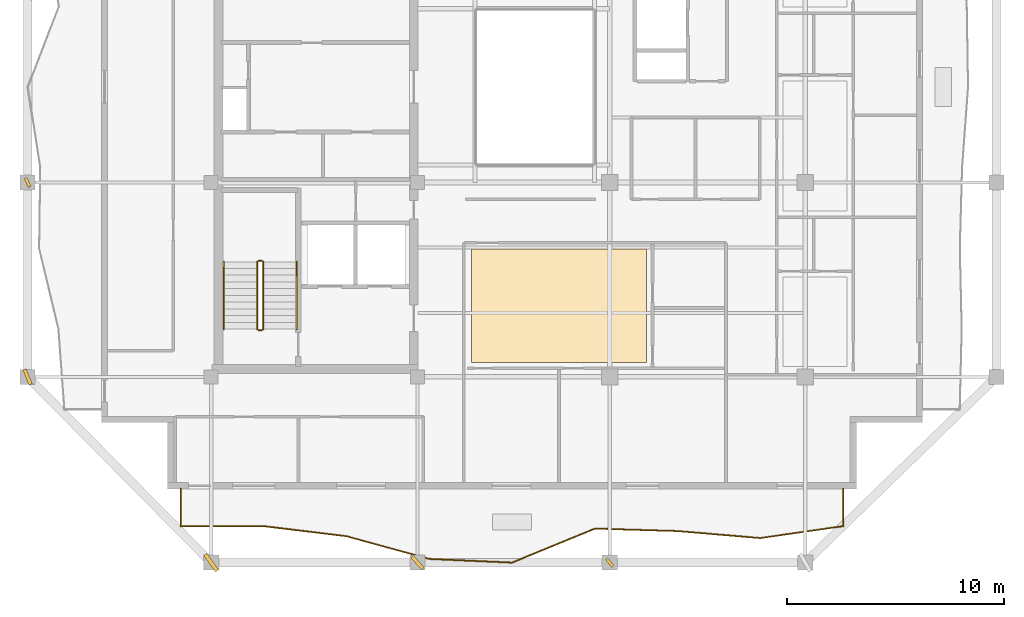
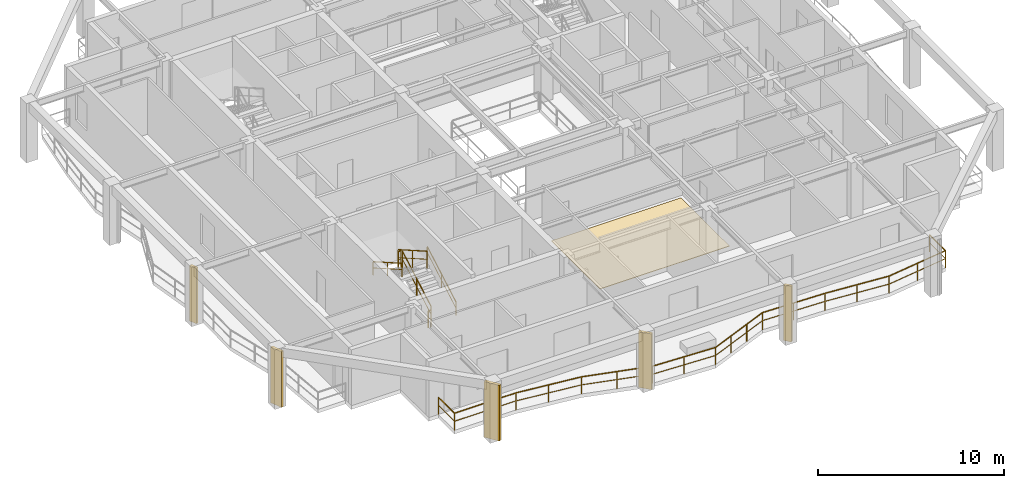
# One storey, part 7 of 10: 7 railings, 5 shading devices, 1 covering.
"""IFC4 building model written with IfcOpenShell, lengths in metres."""

import ifcopenshell
import ifcopenshell.guid

model = None  # the IFC model being written
_history = None  # IfcOwnerHistory: only IFC2X3 demands one
_inside = {}  # id of a spatial element -> (the spatial element, [elements in it])
_under = {}  # id of a project, library or spatial element -> (it, [spatial elements below it])
_declared = {}  # id of a project -> (the project, [libraries it declares])
_typed = {}  # id of a type object -> (the type object, [elements of that type])
_made_of = {}  # id of a material, layer set ... -> (it, [elements and type objects made of it])


def new_model(schema):
    """Start an empty IFC model of exactly this schema.

    Asked for "IFC4X3", IfcOpenShell would pick the latest addendum, in which some entities
    have other attributes; the version numbers below select the first issue.
    IFC2X3 requires an IfcOwnerHistory on every rooted entity: one is made here for all.
    """
    global model, _history
    if schema == "IFC4X3":
        model = ifcopenshell.file(schema_version=(4, 3, 0, 0))
    else:
        model = ifcopenshell.file(schema=schema)
    _inside.clear()
    _under.clear()
    _declared.clear()
    _typed.clear()
    _made_of.clear()
    _history = None
    if model.schema == "IFC2X3":
        org = make("IfcOrganization", Name="unknown")
        user = make(
            "IfcPersonAndOrganization",
            ThePerson=make("IfcPerson", FamilyName="unknown"),
            TheOrganization=org,
        )
        app = make(
            "IfcApplication",
            ApplicationDeveloper=org,
            Version="unknown",
            ApplicationFullName="unknown",
            ApplicationIdentifier="unknown",
        )
        _history = make(
            "IfcOwnerHistory",
            OwningUser=user,
            OwningApplication=app,
            ChangeAction="ADDED",
            CreationDate=0,
        )
    return model


def make(cls, **values):
    """One entity of the class cls with the attributes given. An attribute that is None is left unset."""
    return model.create_entity(
        cls, **{name: value for name, value in values.items() if value is not None}
    )


def rooted(cls, **values):
    """An entity with a GlobalId (a new one), such as an element, a storey or a relation."""
    return make(cls, GlobalId=ifcopenshell.guid.new(), OwnerHistory=_history, **values)


def si_unit(unit_type, name, prefix=None):
    """IfcSIUnit, for example si_unit("LENGTHUNIT", "METRE", prefix="MILLI")."""
    return make("IfcSIUnit", UnitType=unit_type, Prefix=prefix, Name=name)


def assignment(units):
    """IfcUnitAssignment: the units of a project."""
    return None if units is None else make("IfcUnitAssignment", Units=units)


def point(xyz):
    """IfcCartesianPoint."""
    return None if xyz is None else make("IfcCartesianPoint", Coordinates=xyz)


def direction(xyz):
    """IfcDirection."""
    return None if xyz is None else make("IfcDirection", DirectionRatios=xyz)


def frame(location, z_axis=None, x_axis=None):
    """IfcAxis2Placement3D, a coordinate frame: its origin and axes. An axis left out is left unset."""
    return make(
        "IfcAxis2Placement3D",
        Location=point(location),
        Axis=direction(z_axis),
        RefDirection=direction(x_axis),
    )


def frame_2d(location, x_axis=None):
    """IfcAxis2Placement2D, a coordinate frame in the plane: its origin and x axis."""
    return make(
        "IfcAxis2Placement2D", Location=point(location), RefDirection=direction(x_axis)
    )


def origin():
    """The frame at (0, 0, 0) with its axes left unset."""
    return frame((0.0, 0.0, 0.0))


def origin_2d():
    """The frame at (0, 0) in the plane with its x axis left unset."""
    return frame_2d((0.0, 0.0))


def place(relative_to, where):
    """IfcLocalPlacement: puts the frame where relative to a parent placement (None: the world)."""
    return make(
        "IfcLocalPlacement", PlacementRelTo=relative_to, RelativePlacement=where
    )


def context(
    kind, dimensions, precision=None, world=None, true_north=None, identifier=None
):
    """IfcGeometricRepresentationContext, for example the 3D "Model" context."""
    return make(
        "IfcGeometricRepresentationContext",
        ContextIdentifier=identifier,
        ContextType=kind,
        CoordinateSpaceDimension=dimensions,
        Precision=precision,
        WorldCoordinateSystem=world,
        TrueNorth=true_north,
    )


def subcontext(parent, identifier, kind, view, scale=None):
    """IfcGeometricRepresentationSubContext, for example "Body" below "Model"."""
    return make(
        "IfcGeometricRepresentationSubContext",
        ContextIdentifier=identifier,
        ContextType=kind,
        ParentContext=parent,
        TargetScale=scale,
        TargetView=view,
    )


def project(units=None, contexts=None):
    """IfcProject with its units and contexts."""
    return rooted(
        "IfcProject",
        Name="project",
        RepresentationContexts=contexts,
        UnitsInContext=assignment(units),
    )


def spatial(cls, under=None, at=None, **own):
    """A site, building, storey or space (cls), placed at a placement, below another one or the project."""
    s = rooted(cls, ObjectPlacement=at, **own)
    if under is not None:
        _under.setdefault(under.id(), (under, []))[1].append(s)
    return s


def polyline(points):
    """IfcPolyline through the points."""
    return make("IfcPolyline", Points=[point(p) for p in points])


def profile(cls, at=None, kind="AREA", **sizes):
    """A parametric profile (cls). Its sizes go by their IFC names, for example OverallWidth=200.0."""
    return make(cls, ProfileType=kind, Position=at, **sizes)


def rectangle(**sizes):
    """IfcRectangleProfileDef."""
    return profile("IfcRectangleProfileDef", **sizes)


def outline(outer, holes=None, kind="AREA"):
    """IfcArbitraryClosedProfileDef: a profile drawn as a closed curve; with holes, ...WithVoids."""
    if holes is None:
        return make("IfcArbitraryClosedProfileDef", ProfileType=kind, OuterCurve=outer)
    return make(
        "IfcArbitraryProfileDefWithVoids",
        ProfileType=kind,
        OuterCurve=outer,
        InnerCurves=holes,
    )


def extrude(swept, where, along, depth):
    """IfcExtrudedAreaSolid: the profile swept, set in the frame where, extruded along a direction by depth."""
    return make(
        "IfcExtrudedAreaSolid",
        SweptArea=swept,
        Position=where,
        ExtrudedDirection=direction(along),
        Depth=depth,
    )


def shape(context_of_items, identifier, shape_type, items):
    """IfcShapeRepresentation: the items that make up one representation, for example the "Body"."""
    return make(
        "IfcShapeRepresentation",
        ContextOfItems=context_of_items,
        RepresentationIdentifier=identifier,
        RepresentationType=shape_type,
        Items=items,
    )


def material(Name=None, Category=None):
    """IfcMaterial."""
    return make("IfcMaterial", Name=Name, Category=Category)


def layer(
    of_material, thickness, ventilated=None, Name=None, Category=None, Priority=None
):
    """IfcMaterialLayer: one layer of a wall or slab, of a material (None: an air gap)."""
    return make(
        "IfcMaterialLayer",
        Material=of_material,
        LayerThickness=thickness,
        IsVentilated=ventilated,
        Name=Name,
        Category=Category,
        Priority=Priority,
    )


def layer_set(layers, Name=None):
    """IfcMaterialLayerSet."""
    return make("IfcMaterialLayerSet", MaterialLayers=layers, LayerSetName=Name)


def made_of(thing, what):
    """Note that an element or type object is made of a material, layer set ...; save() writes the relation."""
    if what is not None:
        _made_of.setdefault(what.id(), (what, []))[1].append(thing)
    return thing


def type_object(cls, material=None, **own):
    """A type object (cls), such as IfcWallType, which elements share."""
    return made_of(rooted(cls, **own), material)


def element(
    cls,
    number,
    at=None,
    inside=None,
    cuts=None,
    type_object=None,
    material=None,
    context=None,
    identifier="Body",
    shape_type=None,
    held_by="IfcProductDefinitionShape",
    body=None,
    shapes=None,
    **own,
):
    """One element of the class cls, such as IfcWall. Its Tag is "e" and its number.

    at: its placement. inside: the storey or other place that contains it. cuts: it is an
    opening in that element (IfcRelVoidsElement). A single representation is given by context,
    identifier, shape_type and body (its items); several are given by shapes. held_by: the class
    of the entity that holds the representations. save() writes the other relations.
    """
    e = rooted(cls, Tag="e%d" % number, ObjectPlacement=at, **own)
    if body is not None:
        shapes = [shape(context, identifier, shape_type, body)]
    if shapes is not None:
        e.Representation = make(held_by, Representations=shapes)
    if inside is not None:
        _inside.setdefault(inside.id(), (inside, []))[1].append(e)
    if cuts is not None:
        rooted(
            "IfcRelVoidsElement", RelatingBuildingElement=cuts, RelatedOpeningElement=e
        )
    if type_object is not None:
        _typed.setdefault(type_object.id(), (type_object, []))[1].append(e)
    return made_of(e, material)


def aggregate(whole, parts):
    """IfcRelAggregates: a whole, such as a stair, and the parts it consists of."""
    return rooted("IfcRelAggregates", RelatingObject=whole, RelatedObjects=parts)


def save(model, path):
    """Write the relations noted so far, then the file.

    IfcRelAggregates (storeys below a building ...), IfcRelContainedInSpatialStructure (elements
    in a storey), IfcRelDefinesByType, IfcRelAssociatesMaterial and IfcRelDeclares: one each for
    every whole, place, type object, material and project.
    """
    for whole, parts in _under.values():
        aggregate(whole, parts)
    for where, things in _inside.values():
        rooted(
            "IfcRelContainedInSpatialStructure",
            RelatedElements=things,
            RelatingStructure=where,
        )
    for kind, things in _typed.values():
        rooted("IfcRelDefinesByType", RelatedObjects=things, RelatingType=kind)
    for what, things in _made_of.values():
        rooted("IfcRelAssociatesMaterial", RelatedObjects=things, RelatingMaterial=what)
    for by, libraries in _declared.values():
        rooted("IfcRelDeclares", RelatingContext=by, RelatedDefinitions=libraries)
    model.write(path)


model = new_model("IFC4")

# Units and contexts
model_context = context("Model", 3, precision=1e-05, world=origin(), true_north=direction((0.0, 1.0)))
body_context = subcontext(model_context, "Body", "Model", "MODEL_VIEW")
ifc_project = project(units=[si_unit("LENGTHUNIT", "METRE"), si_unit("AREAUNIT", "SQUARE_METRE"), si_unit("VOLUMEUNIT", "CUBIC_METRE"), si_unit("PLANEANGLEUNIT", "RADIAN"), si_unit("MASSUNIT", "GRAM", prefix="KILO")], contexts=[model_context])

# Site, building, storey
site_placement = place(None, origin())
site = spatial("IfcSite", under=ifc_project, at=site_placement, CompositionType="ELEMENT")
building_placement = place(site_placement, origin())
building = spatial("IfcBuilding", under=site, at=building_placement, Name="Kundavana Baori Tower", CompositionType="ELEMENT")
storey_placement = place(building_placement, frame((0.0, 0.0, 284.300048828125)))
storey = spatial("IfcBuildingStorey", under=building, at=storey_placement, Name="L70", CompositionType="ELEMENT", Elevation=284.300048828125)

# Covering
ifc_material_1 = material(Name="Honed Kota Stone and Terrazzo Flooring", Category="masonry")
ifc_layer = layer(ifc_material_1, 0.030029296875, Name="COV-INT-FLR")
ifc_layer_set = layer_set([ifc_layer], Name="Honed Kota Stone and Terrazzo Flooring")
covering_type = type_object("IfcCoveringType", Name="COV-INT-FLR", PredefinedType="FLOORING", material=ifc_layer_set)
covering_placement = place(storey_placement, origin())
element("IfcCovering", 1, at=covering_placement, inside=storey, type_object=covering_type, Name="L70 Room Finished Stone Flooring 1", PredefinedType="FLOORING", context=body_context, shape_type="SweptSolid", body=[
    extrude(outline(polyline([(27.43994140625, 15.919921875), (35.489990234375, 15.919921875), (35.489990234375, 21.139892578125), (27.43994140625, 21.139892578125), (27.43994140625, 15.919921875)])), origin(), (0.0, 0.0, 1.0), 0.030029296875),
])

# Railings
ifc_material_2 = material(Name="Architectural Patinated Bronze Metalwork")
railing_type_1 = type_object("IfcRailingType", Name="RL-BAL-1150", PredefinedType="BALUSTRADE", material=ifc_material_2)
railing_1_placement = place(storey_placement, frame((44.550048828125, 10.10009765625, 0.0)))
element("IfcRailing", 2, at=railing_1_placement, inside=storey, type_object=railing_type_1, Name="L70 Loggia Balcony Balustrade S", PredefinedType="BALUSTRADE", context=body_context, shape_type="SweptSolid", body=[
    extrude(rectangle(XDim=0.048095703125, YDim=0.048095703125, at=origin_2d()), frame((0.0, 0.0, 1.1259765625), z_axis=(0.0, -1.0, 0.0), x_axis=(1.0, 0.0, 0.0)), (0.0, 0.0, 1.0), 1.72021484375),
    extrude(rectangle(XDim=0.03125, YDim=0.03125, at=origin_2d()), frame((0.0, 0.0, 0.597900390625), z_axis=(0.0, -1.0, 0.0), x_axis=(1.0, 0.0, 0.0)), (0.0, 0.0, 1.0), 1.72021484375),
    extrude(rectangle(XDim=0.048095703125, YDim=0.048095703125, at=origin_2d()), frame((0.0, -1.72021484375, 1.1259765625), z_axis=(-0.989682878642, -0.143275258587, 0.0), x_axis=(0.143275258587, -0.989682878642, 0.0)), (0.0, 0.0, 1.0), 3.852783203125),
    extrude(rectangle(XDim=0.03125, YDim=0.03125, at=origin_2d()), frame((0.0, -1.72021484375, 0.597900390625), z_axis=(-0.989682878642, -0.143275258587, 0.0), x_axis=(0.143275258587, -0.989682878642, 0.0)), (0.0, 0.0, 1.0), 3.852783203125),
    extrude(rectangle(XDim=0.048095703125, YDim=0.048095703125, at=origin_2d()), frame((-3.81298828125, -2.272216796875, 1.1259765625), z_axis=(-0.996429487933, 0.0844291157, 0.0), x_axis=(-0.0844291157, -0.996429487933, 0.0)), (0.0, 0.0, 1.0), 3.82568359375),
    extrude(rectangle(XDim=0.03125, YDim=0.03125, at=origin_2d()), frame((-3.81298828125, -2.272216796875, 0.597900390625), z_axis=(-0.996429487933, 0.0844291157, 0.0), x_axis=(-0.0844291157, -0.996429487933, 0.0)), (0.0, 0.0, 1.0), 3.82568359375),
    extrude(rectangle(XDim=0.048095703125, YDim=0.048095703125, at=origin_2d()), frame((-7.625, -1.94921875, 1.1259765625), z_axis=(-0.999553252817, 0.029888037461, 0.0), x_axis=(-0.029888037461, -0.999553252817, 0.0)), (0.0, 0.0, 1.0), 3.814697265625),
    extrude(rectangle(XDim=0.03125, YDim=0.03125, at=origin_2d()), frame((-7.625, -1.94921875, 0.597900390625), z_axis=(-0.999553252817, 0.029888037461, 0.0), x_axis=(-0.029888037461, -0.999553252817, 0.0)), (0.0, 0.0, 1.0), 3.814697265625),
    extrude(rectangle(XDim=0.048095703125, YDim=0.048095703125, at=origin_2d()), frame((-11.43798828125, -1.835205078125, 1.1259765625), z_axis=(-0.925080039685, -0.379772195106, 0.0), x_axis=(0.379772195106, -0.925080039685, 0.0)), (0.0, 0.0, 1.0), 4.120849609375),
    extrude(rectangle(XDim=0.03125, YDim=0.03125, at=origin_2d()), frame((-11.43798828125, -1.835205078125, 0.597900390625), z_axis=(-0.925080039685, -0.379772195106, 0.0), x_axis=(0.379772195106, -0.925080039685, 0.0)), (0.0, 0.0, 1.0), 4.120849609375),
    extrude(rectangle(XDim=0.048095703125, YDim=0.048095703125, at=origin_2d()), frame((-15.25, -3.400146484375, 1.1259765625), z_axis=(-0.999005656153, 0.04458361777, 0.0), x_axis=(-0.04458361777, -0.999005656153, 0.0)), (0.0, 0.0, 1.0), 3.81689453125),
    extrude(rectangle(XDim=0.03125, YDim=0.03125, at=origin_2d()), frame((-15.25, -3.400146484375, 0.597900390625), z_axis=(-0.999005656153, 0.04458361777, 0.0), x_axis=(-0.04458361777, -0.999005656153, 0.0)), (0.0, 0.0, 1.0), 3.81689453125),
    extrude(rectangle(XDim=0.048095703125, YDim=0.048095703125, at=origin_2d()), frame((-19.06298828125, -3.22998046875, 1.1259765625), z_axis=(-0.964360763805, 0.264590848734, 0.0), x_axis=(-0.264590848734, -0.964360763805, 0.0)), (0.0, 0.0, 1.0), 3.952880859375),
    extrude(rectangle(XDim=0.03125, YDim=0.03125, at=origin_2d()), frame((-19.06298828125, -3.22998046875, 0.597900390625), z_axis=(-0.964360763805, 0.264590848734, 0.0), x_axis=(-0.264590848734, -0.964360763805, 0.0)), (0.0, 0.0, 1.0), 3.952880859375),
    extrude(rectangle(XDim=0.048095703125, YDim=0.048095703125, at=origin_2d()), frame((-22.875, -2.18408203125, 1.1259765625), z_axis=(-0.992738384386, 0.120293392036, 0.0), x_axis=(-0.120293392036, -0.992738384386, 0.0)), (0.0, 0.0, 1.0), 3.83984375),
    extrude(rectangle(XDim=0.03125, YDim=0.03125, at=origin_2d()), frame((-22.875, -2.18408203125, 0.597900390625), z_axis=(-0.992738384386, 0.120293392036, 0.0), x_axis=(-0.120293392036, -0.992738384386, 0.0)), (0.0, 0.0, 1.0), 3.83984375),
    extrude(rectangle(XDim=0.048095703125, YDim=0.048095703125, at=origin_2d()), frame((-26.68701171875, -1.72216796875, 1.1259765625), z_axis=(-0.999999868811, 0.000512229412, 0.0), x_axis=(-0.000512229412, -0.999999868811, 0.0)), (0.0, 0.0, 1.0), 3.81298828125),
    extrude(rectangle(XDim=0.03125, YDim=0.03125, at=origin_2d()), frame((-26.68701171875, -1.72216796875, 0.597900390625), z_axis=(-0.999999868811, 0.000512229412, 0.0), x_axis=(-0.000512229412, -0.999999868811, 0.0)), (0.0, 0.0, 1.0), 3.81298828125),
    extrude(rectangle(XDim=0.048095703125, YDim=0.048095703125, at=origin_2d()), frame((-30.5, -1.72021484375, 1.1259765625), z_axis=(0.0, 1.0, 0.0), x_axis=(-1.0, 0.0, 0.0)), (0.0, 0.0, 1.0), 1.72021484375),
    extrude(rectangle(XDim=0.03125, YDim=0.03125, at=origin_2d()), frame((-30.5, -1.72021484375, 0.597900390625), z_axis=(0.0, 1.0, 0.0), x_axis=(-1.0, 0.0, 0.0)), (0.0, 0.0, 1.0), 1.72021484375),
    extrude(rectangle(XDim=0.0419921875, YDim=0.0419921875, at=origin_2d()), origin(), (0.0, 0.0, 1.0), 1.101806640625),
    extrude(rectangle(XDim=0.0419921875, YDim=0.0419921875, at=origin_2d()), frame((0.0, -1.72021484375, 0.0)), (0.0, 0.0, 1.0), 1.101806640625),
    extrude(rectangle(XDim=0.0419921875, YDim=0.0419921875, at=origin_2d()), frame((-1.906494140625, -1.99609375, 0.0)), (0.0, 0.0, 1.0), 1.101806640625),
    extrude(rectangle(XDim=0.0419921875, YDim=0.0419921875, at=origin_2d()), frame((-3.81298828125, -2.272216796875, 0.0)), (0.0, 0.0, 1.0), 1.101806640625),
    extrude(rectangle(XDim=0.0419921875, YDim=0.0419921875, at=origin_2d()), frame((-5.718994140625, -2.11083984375, 0.0)), (0.0, 0.0, 1.0), 1.101806640625),
    extrude(rectangle(XDim=0.0419921875, YDim=0.0419921875, at=origin_2d()), frame((-7.625, -1.94921875, 0.0)), (0.0, 0.0, 1.0), 1.101806640625),
    extrude(rectangle(XDim=0.0419921875, YDim=0.0419921875, at=origin_2d()), frame((-9.531494140625, -1.89208984375, 0.0)), (0.0, 0.0, 1.0), 1.101806640625),
    extrude(rectangle(XDim=0.0419921875, YDim=0.0419921875, at=origin_2d()), frame((-11.43798828125, -1.835205078125, 0.0)), (0.0, 0.0, 1.0), 1.101806640625),
    extrude(rectangle(XDim=0.0419921875, YDim=0.0419921875, at=origin_2d()), frame((-12.708740234375, -2.35693359375, 0.0)), (0.0, 0.0, 1.0), 1.101806640625),
    extrude(rectangle(XDim=0.0419921875, YDim=0.0419921875, at=origin_2d()), frame((-13.979248046875, -2.87841796875, 0.0)), (0.0, 0.0, 1.0), 1.101806640625),
    extrude(rectangle(XDim=0.0419921875, YDim=0.0419921875, at=origin_2d()), frame((-15.25, -3.400146484375, 0.0)), (0.0, 0.0, 1.0), 1.101806640625),
    extrude(rectangle(XDim=0.0419921875, YDim=0.0419921875, at=origin_2d()), frame((-17.156494140625, -3.31494140625, 0.0)), (0.0, 0.0, 1.0), 1.101806640625),
    extrude(rectangle(XDim=0.0419921875, YDim=0.0419921875, at=origin_2d()), frame((-19.06298828125, -3.22998046875, 0.0)), (0.0, 0.0, 1.0), 1.101806640625),
    extrude(rectangle(XDim=0.0419921875, YDim=0.0419921875, at=origin_2d()), frame((-20.968994140625, -2.70703125, 0.0)), (0.0, 0.0, 1.0), 1.101806640625),
    extrude(rectangle(XDim=0.0419921875, YDim=0.0419921875, at=origin_2d()), frame((-22.875, -2.18408203125, 0.0)), (0.0, 0.0, 1.0), 1.101806640625),
    extrude(rectangle(XDim=0.0419921875, YDim=0.0419921875, at=origin_2d()), frame((-24.781005859375, -1.953125, 0.0)), (0.0, 0.0, 1.0), 1.101806640625),
    extrude(rectangle(XDim=0.0419921875, YDim=0.0419921875, at=origin_2d()), frame((-26.68701171875, -1.72216796875, 0.0)), (0.0, 0.0, 1.0), 1.101806640625),
    extrude(rectangle(XDim=0.0419921875, YDim=0.0419921875, at=origin_2d()), frame((-28.593505859375, -1.72119140625, 0.0)), (0.0, 0.0, 1.0), 1.101806640625),
    extrude(rectangle(XDim=0.0419921875, YDim=0.0419921875, at=origin_2d()), frame((-30.5, -1.72021484375, 0.0)), (0.0, 0.0, 1.0), 1.101806640625),
    extrude(rectangle(XDim=0.0419921875, YDim=0.0419921875, at=origin_2d()), frame((-30.5, 0.0, 0.0)), (0.0, 0.0, 1.0), 1.101806640625),
])
ifc_material_3 = material(Name="Architectural Patinated Bronze Metalwork")
railing_type_2 = type_object("IfcRailingType", Name="RL-GRD-1150", PredefinedType="GUARDRAIL", material=ifc_material_3)
railing_2_placement = place(storey_placement, frame((17.840087890625, 17.449951171875, 0.17724609375)))
element("IfcRailing", 3, at=railing_2_placement, inside=storey, type_object=railing_type_2, Name="L70 ST1 stair guard 1", PredefinedType="GUARDRAIL", context=body_context, shape_type="SweptSolid", body=[
    extrude(rectangle(XDim=0.048095703125, YDim=0.048095703125, at=origin_2d()), frame((0.0, 0.0, 1.1259765625), z_axis=(0.0, 0.868095856688, 0.496396599103), x_axis=(-1.0, 0.0, 0.0)), (0.0, 0.0, 1.0), 3.571044921875),
    extrude(rectangle(XDim=0.03125, YDim=0.03125, at=origin_2d()), frame((0.0, 0.0, 0.597900390625), z_axis=(0.0, 0.868095856688, 0.496396599103), x_axis=(-1.0, 0.0, 0.0)), (0.0, 0.0, 1.0), 3.571044921875),
    extrude(rectangle(XDim=0.0419921875, YDim=0.0419921875, at=origin_2d()), origin(), (0.0, 0.0, 1.0), 1.101806640625),
    extrude(rectangle(XDim=0.0419921875, YDim=0.0419921875, at=origin_2d()), frame((0.0, 1.550048828125, 0.88623046875)), (0.0, 0.0, 1.0), 1.101806640625),
    extrude(rectangle(XDim=0.0419921875, YDim=0.0419921875, at=origin_2d()), frame((0.0, 3.10009765625, 1.772705078125)), (0.0, 0.0, 1.0), 1.101806640625),
])
railing_3_placement = place(storey_placement, frame((17.7900390625, 20.60009765625, 1.949951171875)))
element("IfcRailing", 4, at=railing_3_placement, inside=storey, type_object=railing_type_2, Name="L70 ST1 stair guard 2", PredefinedType="GUARDRAIL", context=body_context, shape_type="SweptSolid", body=[
    extrude(rectangle(XDim=0.048095703125, YDim=0.048095703125, at=origin_2d()), frame((0.0, 0.0, 1.1259765625), z_axis=(-1.0, 0.0, 0.0), x_axis=(0.0, -1.0, 0.0)), (0.0, 0.0, 1.0), 0.16015625),
    extrude(rectangle(XDim=0.03125, YDim=0.03125, at=origin_2d()), frame((0.0, 0.0, 0.597900390625), z_axis=(-1.0, 0.0, 0.0), x_axis=(0.0, -1.0, 0.0)), (0.0, 0.0, 1.0), 0.16015625),
    extrude(rectangle(XDim=0.0419921875, YDim=0.0419921875, at=origin_2d()), origin(), (0.0, 0.0, 1.0), 1.101806640625),
    extrude(rectangle(XDim=0.0419921875, YDim=0.0419921875, at=origin_2d()), frame((-0.16015625, 0.0, 0.0)), (0.0, 0.0, 1.0), 1.101806640625),
])
railing_4_placement = place(storey_placement, frame((17.580078125, 20.550048828125, 2.127197265625)))
element("IfcRailing", 5, at=railing_4_placement, inside=storey, type_object=railing_type_2, Name="L70 ST1 stair guard 3", PredefinedType="GUARDRAIL", context=body_context, shape_type="SweptSolid", body=[
    extrude(rectangle(XDim=0.048095703125, YDim=0.048095703125, at=origin_2d()), frame((0.0, 0.0, 1.1259765625), z_axis=(0.0, -0.868095856688, 0.496396599103), x_axis=(1.0, 0.0, 0.0)), (0.0, 0.0, 1.0), 3.571044921875),
    extrude(rectangle(XDim=0.03125, YDim=0.03125, at=origin_2d()), frame((0.0, 0.0, 0.597900390625), z_axis=(0.0, -0.868095856688, 0.496396599103), x_axis=(1.0, 0.0, 0.0)), (0.0, 0.0, 1.0), 3.571044921875),
    extrude(rectangle(XDim=0.0419921875, YDim=0.0419921875, at=origin_2d()), origin(), (0.0, 0.0, 1.0), 1.101806640625),
    extrude(rectangle(XDim=0.0419921875, YDim=0.0419921875, at=origin_2d()), frame((0.0, -1.550048828125, 0.88623046875)), (0.0, 0.0, 1.0), 1.101806640625),
    extrude(rectangle(XDim=0.0419921875, YDim=0.0419921875, at=origin_2d()), frame((0.0, -3.10009765625, 1.772705078125)), (0.0, 0.0, 1.0), 1.101806640625),
])
railing_5_placement = place(storey_placement, frame((17.7900390625, 17.39990234375, 0.0)))
element("IfcRailing", 6, at=railing_5_placement, inside=storey, type_object=railing_type_2, Name="L70 ST1 stair guard 4", PredefinedType="GUARDRAIL", context=body_context, shape_type="SweptSolid", body=[
    extrude(rectangle(XDim=0.048095703125, YDim=0.048095703125, at=origin_2d()), frame((0.0, 0.0, 1.1259765625), z_axis=(-1.0, 0.0, 0.0), x_axis=(0.0, -1.0, 0.0)), (0.0, 0.0, 1.0), 0.16015625),
    extrude(rectangle(XDim=0.03125, YDim=0.03125, at=origin_2d()), frame((0.0, 0.0, 0.597900390625), z_axis=(-1.0, 0.0, 0.0), x_axis=(0.0, -1.0, 0.0)), (0.0, 0.0, 1.0), 0.16015625),
    extrude(rectangle(XDim=0.0419921875, YDim=0.0419921875, at=origin_2d()), origin(), (0.0, 0.0, 1.0), 1.101806640625),
    extrude(rectangle(XDim=0.0419921875, YDim=0.0419921875, at=origin_2d()), frame((-0.16015625, 0.0, 0.0)), (0.0, 0.0, 1.0), 1.101806640625),
])
ifc_material_4 = material(Name="Architectural Patinated Bronze Metalwork")
railing_type_3 = type_object("IfcRailingType", Name="RL-HND-920", PredefinedType="HANDRAIL", material=ifc_material_4)
railing_6_placement = place(storey_placement, frame((19.389892578125, 17.449951171875, 0.17724609375)))
element("IfcRailing", 7, at=railing_6_placement, inside=storey, type_object=railing_type_3, Name="L70 ST1 stair handrail 1", PredefinedType="HANDRAIL", context=body_context, shape_type="SweptSolid", body=[
    extrude(rectangle(XDim=0.048095703125, YDim=0.048095703125, at=origin_2d()), frame((0.0, 0.0, 0.8759765625), z_axis=(0.0, 0.868095856688, 0.496396599103), x_axis=(-1.0, 0.0, 0.0)), (0.0, 0.0, 1.0), 3.571044921875),
    extrude(rectangle(XDim=0.03125, YDim=0.03125, at=origin_2d()), frame((0.0, 0.0, 0.468017578125), z_axis=(0.0, 0.868095856688, 0.496396599103), x_axis=(-1.0, 0.0, 0.0)), (0.0, 0.0, 1.0), 3.571044921875),
    extrude(rectangle(XDim=0.0419921875, YDim=0.0419921875, at=origin_2d()), origin(), (0.0, 0.0, 1.0), 0.851806640625),
    extrude(rectangle(XDim=0.0419921875, YDim=0.0419921875, at=origin_2d()), frame((0.0, 1.550048828125, 0.88623046875)), (0.0, 0.0, 1.0), 0.851806640625),
    extrude(rectangle(XDim=0.0419921875, YDim=0.0419921875, at=origin_2d()), frame((0.0, 3.10009765625, 1.772705078125)), (0.0, 0.0, 1.0), 0.851806640625),
])
railing_7_placement = place(storey_placement, frame((16.030029296875, 20.550048828125, 2.127197265625)))
element("IfcRailing", 8, at=railing_7_placement, inside=storey, type_object=railing_type_3, Name="L70 ST1 stair handrail 2", PredefinedType="HANDRAIL", context=body_context, shape_type="SweptSolid", body=[
    extrude(rectangle(XDim=0.048095703125, YDim=0.048095703125, at=origin_2d()), frame((0.0, 0.0, 0.8759765625), z_axis=(0.0, -0.868095856688, 0.496396599103), x_axis=(1.0, 0.0, 0.0)), (0.0, 0.0, 1.0), 3.571044921875),
    extrude(rectangle(XDim=0.03125, YDim=0.03125, at=origin_2d()), frame((0.0, 0.0, 0.468017578125), z_axis=(0.0, -0.868095856688, 0.496396599103), x_axis=(1.0, 0.0, 0.0)), (0.0, 0.0, 1.0), 3.571044921875),
    extrude(rectangle(XDim=0.0419921875, YDim=0.0419921875, at=origin_2d()), origin(), (0.0, 0.0, 1.0), 0.851806640625),
    extrude(rectangle(XDim=0.0419921875, YDim=0.0419921875, at=origin_2d()), frame((0.0, -1.550048828125, 0.88623046875)), (0.0, 0.0, 1.0), 0.851806640625),
    extrude(rectangle(XDim=0.0419921875, YDim=0.0419921875, at=origin_2d()), frame((0.0, -3.10009765625, 1.772705078125)), (0.0, 0.0, 1.0), 0.851806640625),
])

# Shading devices
ifc_material_5 = material(Name="Red-Buff Dholpur Sandstone Cladding on Concrete C40/50", Category="masonry")
shading_device_type_1 = type_object("IfcShadingDeviceType", Name="SHD-FIN-750", PredefinedType="JALOUSIE", material=ifc_material_5)
for number, where, z_axis, x_axis, name in (
    (9, (24.949951171875, 6.699951171875, 0.0), (0.0, 0.0, 1.0), (0.74559232019, 0.666402349991, 0.0), "L70 Sweeping Dholpur Sandstone Facade Fin 2"),
    (10, (7.0, 15.25, 0.0), (0.0, 0.0, 1.0), (0.923277275238, 0.384134186228, 0.0), "L70 Sweeping Dholpur Sandstone Facade Fin 5"),
):
    element("IfcShadingDevice", number, at=place(storey_placement, frame(where, z_axis=z_axis, x_axis=x_axis)), inside=storey, type_object=shading_device_type_1, Name=name, PredefinedType="JALOUSIE", context=body_context, shape_type="SweptSolid", body=[
        extrude(rectangle(XDim=0.159912109375, YDim=0.75, at=origin_2d()), origin(), (0.0, 0.0, 1.0), 3.659912109375),
    ])
ifc_material_6 = material(Name="Red-Buff Dholpur Sandstone Cladding on Concrete C40/50", Category="masonry")
shading_device_type_2 = type_object("IfcShadingDeviceType", Name="SHD-FIN-920", PredefinedType="JALOUSIE", material=ifc_material_6)
shading_device_placement = place(storey_placement, frame((15.449951171875, 6.699951171875, 0.0), z_axis=(0.0, 0.0, 1.0), x_axis=(0.813202348287, 0.581981048437, 0.0)))
element("IfcShadingDevice", 11, at=shading_device_placement, inside=storey, type_object=shading_device_type_2, Name="L70 Sweeping Dholpur Sandstone Facade Fin 1", PredefinedType="JALOUSIE", context=body_context, shape_type="SweptSolid", body=[
    extrude(rectangle(XDim=0.179931640625, YDim=0.919921875, at=origin_2d()), origin(), (0.0, 0.0, 1.0), 3.659912109375),
])
ifc_material_7 = material(Name="Architectural Patinated Bronze Metalwork")
shading_device_type_3 = type_object("IfcShadingDeviceType", Name="SHD-LOUV-450", PredefinedType="SHUTTER", material=ifc_material_7)
for number, where, z_axis, x_axis, name in (
    (12, (33.800048828125, 6.699951171875, 0.0), (0.0, 0.0, 1.0), (0.777255786749, 0.629184743907, 0.0), "L70 Sweeping Dholpur Sandstone Facade Fin 3"),
    (13, (7.0, 24.199951171875, 0.0), (0.0, 0.0, 1.0), (0.913047853423, 0.407852445573, 0.0), "L70 Sweeping Dholpur Sandstone Facade Fin 6"),
):
    element("IfcShadingDevice", number, at=place(storey_placement, frame(where, z_axis=z_axis, x_axis=x_axis)), inside=storey, type_object=shading_device_type_3, Name=name, PredefinedType="SHUTTER", context=body_context, shape_type="SweptSolid", body=[
        extrude(rectangle(XDim=0.139892578125, YDim=0.449951171875, at=origin_2d()), origin(), (0.0, 0.0, 1.0), 3.659912109375),
    ])

save(model, "model.ifc")
